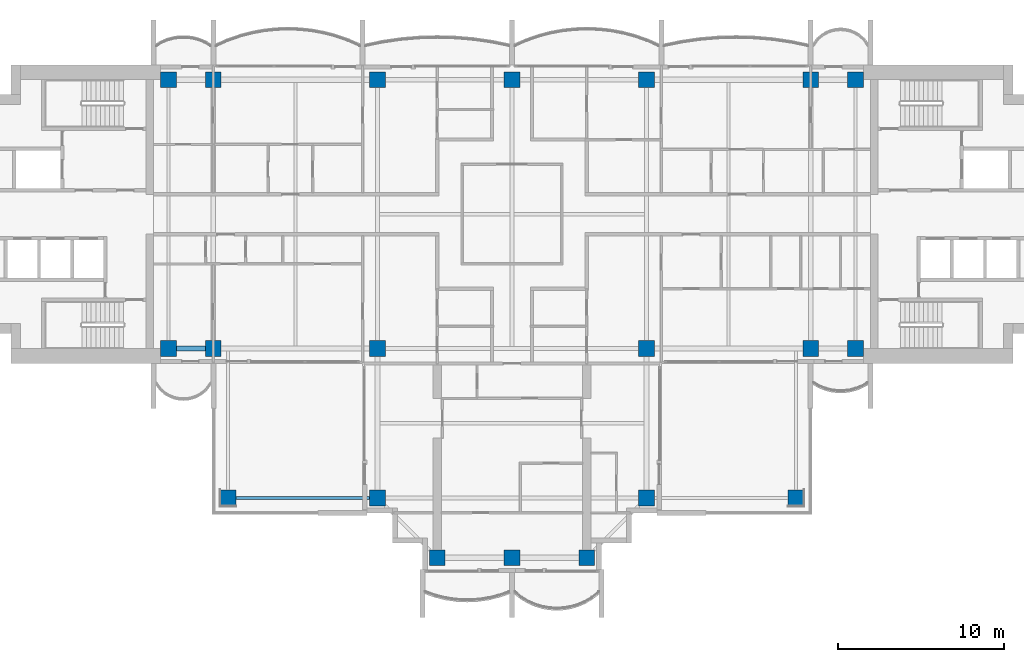
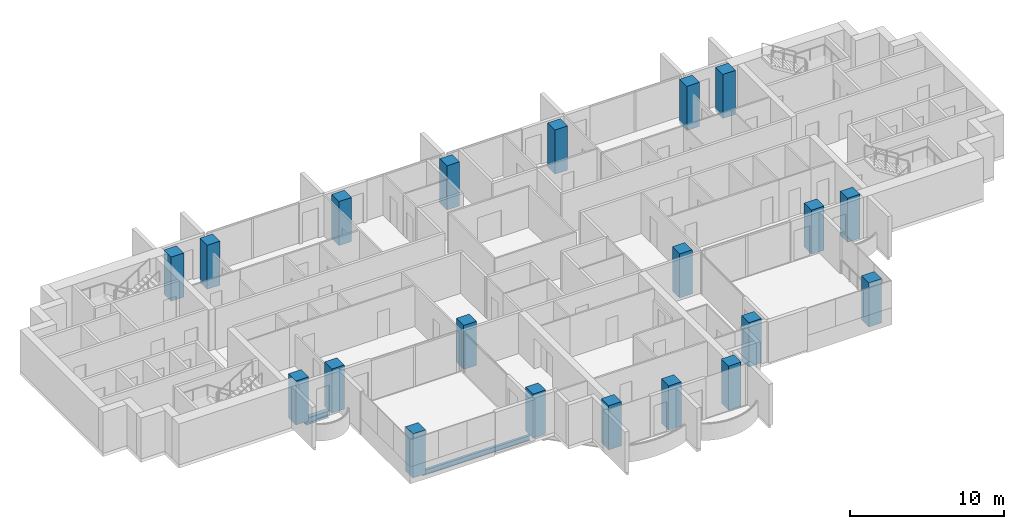
# One storey, part 1 of 17: 20 columns, 2 beams.
"""IFC4 building model written with IfcOpenShell, lengths in metres."""

from ifc_helpers import new_model, si_unit, direction, frame, origin, origin_2d, place, context, subcontext, project, spatial, rectangle, i_section, extrude, material, material_profile, profile_set, type_object, element, save


model = new_model("IFC4")

# Units and contexts
model_context = context("Model", 3, precision=1e-05, world=origin(), true_north=direction((0.0, 1.0)))
body_context = subcontext(model_context, "Body", "Model", "MODEL_VIEW")
ifc_project = project(units=[si_unit("LENGTHUNIT", "METRE"), si_unit("AREAUNIT", "SQUARE_METRE"), si_unit("VOLUMEUNIT", "CUBIC_METRE"), si_unit("PLANEANGLEUNIT", "RADIAN"), si_unit("MASSUNIT", "GRAM", prefix="KILO")], contexts=[model_context])

# Site, building, storey
site_placement = place(None, origin())
site = spatial("IfcSite", under=ifc_project, at=site_placement, CompositionType="ELEMENT")
building_placement = place(site_placement, origin())
building = spatial("IfcBuilding", under=site, at=building_placement, Name="Perihelion Cross Residences", CompositionType="ELEMENT")
storey_placement = place(building_placement, frame((0.0, 0.0, 184.10009765625)))
storey = spatial("IfcBuildingStorey", under=building, at=storey_placement, Name="L45", CompositionType="ELEMENT", Elevation=184.10009765625)

# Columns
ifc_material_1 = material(Name="Concrete C60/75", Category="concrete")
ifc_material_profile_1 = material_profile(ifc_material_1, rectangle(XDim=0.949951171875, YDim=0.949951171875, at=origin_2d()), Name="RC 950x950")
ifc_profile_set_1 = profile_set([ifc_material_profile_1], Name="Concrete C60/75")
column_type = type_object("IfcColumnType", Name="Reinforced concrete column 950x950 C60/75", PredefinedType="COLUMN", material=ifc_profile_set_1)
for number, where, z_axis, x_axis, name in (
    (1, (-20.699951171875, -8.10009765625, -0.25), (0.0, 0.0, 1.0), (1.0, 0.0, 0.0), "Column C017 L45 no. 1"),
    (2, (-20.699951171875, 8.10009765625, -0.25), (0.0, 0.0, 1.0), (1.0, 0.0, 0.0), "Column C010 L45 no. 1"),
    (3, (-18.0, -8.10009765625, -0.25), (0.0, 0.0, 1.0), (1.0, 0.0, 0.0), "Column C018 L45 no. 1"),
    (4, (-18.0, 8.10009765625, -0.25), (0.0, 0.0, 1.0), (1.0, 0.0, 0.0), "Column C011 L45 no. 1"),
    (5, (-8.10009765625, -17.10009765625, -0.25), (0.0, 0.0, 1.0), (1.0, 0.0, 0.0), "Column C031 L45 no. 1"),
    (6, (-8.10009765625, -8.10009765625, -0.25), (0.0, 0.0, 1.0), (1.0, 0.0, 0.0), "Column C019 L45 no. 1"),
    (7, (-8.10009765625, 8.10009765625, -0.25), (0.0, 0.0, 1.0), (1.0, 0.0, 0.0), "Column C012 L45 no. 1"),
    (8, (-4.5, -20.699951171875, -0.25), (0.0, 0.0, 1.0), (1.0, 0.0, 0.0), "Column C037 L45 no. 1"),
    (9, (0.0, -20.699951171875, -0.25), (0.0, 0.0, 1.0), (1.0, 0.0, 0.0), "Column C038 L45 no. 1"),
    (10, (0.0, 8.10009765625, -0.25), (0.0, 0.0, 1.0), (1.0, 0.0, 0.0), "Column C013 L45 no. 1"),
    (11, (4.5, -20.699951171875, -0.25), (0.0, 0.0, 1.0), (1.0, 0.0, 0.0), "Column C039 L45 no. 1"),
    (12, (8.10009765625, -17.10009765625, -0.25), (0.0, 0.0, 1.0), (1.0, 0.0, 0.0), "Column C035 L45 no. 1"),
    (13, (8.10009765625, -8.10009765625, -0.25), (0.0, 0.0, 1.0), (1.0, 0.0, 0.0), "Column C020 L45 no. 1"),
    (14, (8.10009765625, 8.10009765625, -0.25), (0.0, 0.0, 1.0), (1.0, 0.0, 0.0), "Column C014 L45 no. 1"),
    (15, (18.0, -8.10009765625, -0.25), (0.0, 0.0, 1.0), (1.0, 0.0, 0.0), "Column C021 L45 no. 1"),
    (16, (18.0, 8.10009765625, -0.25), (0.0, 0.0, 1.0), (1.0, 0.0, 0.0), "Column C015 L45 no. 1"),
    (17, (20.699951171875, -8.10009765625, -0.25), (0.0, 0.0, 1.0), (1.0, 0.0, 0.0), "Column C022 L45 no. 1"),
    (18, (20.699951171875, 8.10009765625, -0.25), (0.0, 0.0, 1.0), (1.0, 0.0, 0.0), "Column C016 L45 no. 1"),
    (19, (-17.10009765625, -17.10009765625, -0.25), (0.0, 0.0, 1.0), (1.0, 0.0, 0.0), "Column C030 L45 no. 1"),
    (20, (17.10009765625, -17.10009765625, -0.25), (0.0, 0.0, 1.0), (1.0, 0.0, 0.0), "Column C036 L45 no. 1"),
):
    element("IfcColumn", number, at=place(storey_placement, frame(where, z_axis=z_axis, x_axis=x_axis)), inside=storey, type_object=column_type, Name=name, PredefinedType="COLUMN", context=body_context, shape_type="SweptSolid", body=[
        extrude(rectangle(XDim=0.949951171875, YDim=0.949951171875, at=origin_2d()), origin(), (0.0, 0.0, 1.0), 3.5),
    ])

# Beams
ifc_material_2 = material(Name="Steel S355", Category="steel")
ifc_material_profile_2 = material_profile(ifc_material_2, i_section(OverallWidth=0.177978515625, OverallDepth=0.406005859375, WebThickness=0.0078125, FlangeThickness=0.0126953125, at=origin_2d()), Name="W410x60")
ifc_profile_set_2 = profile_set([ifc_material_profile_2], Name="Steel S355")
beam_type_1 = type_object("IfcBeamType", Name="Core edge beam W410x60", PredefinedType="BEAM", material=ifc_profile_set_2)
beam_1_placement = place(storey_placement, frame((-8.574951171875, -17.10009765625, -0.453125), z_axis=(-1.0, 0.0, 0.0), x_axis=(0.0, -1.0, 0.0)))
element("IfcBeam", 21, at=beam_1_placement, inside=storey, type_object=beam_type_1, Name="Core edge beam TB2 L45 corner no. 2", PredefinedType="BEAM", context=body_context, shape_type="SweptSolid", body=[
    extrude(i_section(OverallWidth=0.177978515625, OverallDepth=0.406005859375, WebThickness=0.0078125, FlangeThickness=0.0126953125, at=origin_2d()), origin(), (0.0, 0.0, 1.0), 8.050048828125),
])
ifc_material_3 = material(Name="Steel S355", Category="steel")
ifc_material_profile_3 = material_profile(ifc_material_3, i_section(OverallWidth=0.31201171875, OverallDepth=0.5439453125, WebThickness=0.0126953125, FlangeThickness=0.020263671875, at=origin_2d()), Name="W530x150")
ifc_profile_set_3 = profile_set([ifc_material_profile_3], Name="Steel S355")
beam_type_2 = type_object("IfcBeamType", Name="Edge beam W530x150", PredefinedType="SPANDREL", material=ifc_profile_set_3)
beam_2_placement = place(storey_placement, frame((-20.22509765625, -8.10009765625, -0.522216796875), z_axis=(1.0, 0.0, 0.0), x_axis=(0.0, 1.0, 0.0)))
element("IfcBeam", 22, at=beam_2_placement, inside=storey, type_object=beam_type_2, Name="Edge beam SB4 L45 no. 3", PredefinedType="SPANDREL", context=body_context, shape_type="SweptSolid", body=[
    extrude(i_section(OverallWidth=0.31201171875, OverallDepth=0.5439453125, WebThickness=0.0126953125, FlangeThickness=0.020263671875, at=origin_2d()), origin(), (0.0, 0.0, 1.0), 1.75),
])

save(model, "model.ifc")
